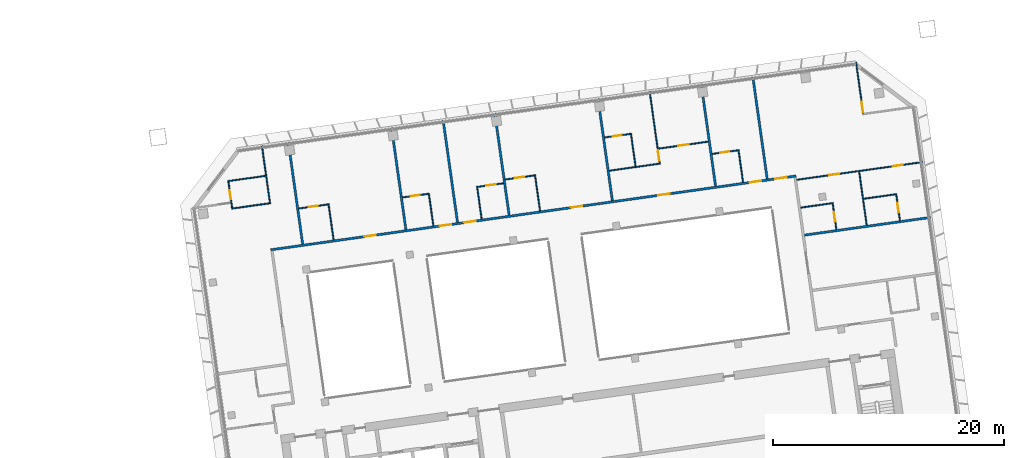
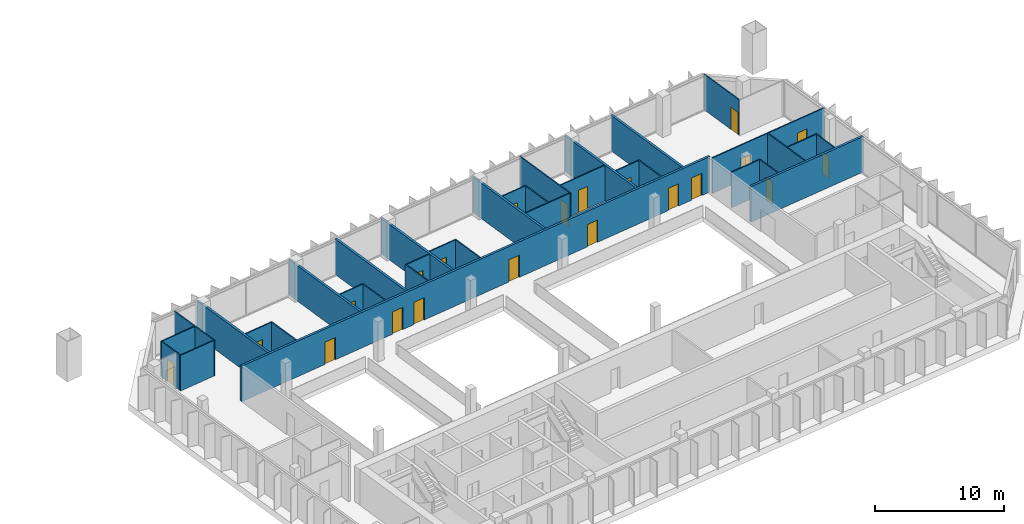
# One storey, part 21 of 26: 35 walls, 21 doors, 21 openings.
"""IFC4 building model written with IfcOpenShell, lengths in metres."""

import ifcopenshell
import ifcopenshell.guid

model = None  # the IFC model being written
_history = None  # IfcOwnerHistory: only IFC2X3 demands one
_inside = {}  # id of a spatial element -> (the spatial element, [elements in it])
_under = {}  # id of a project, library or spatial element -> (it, [spatial elements below it])
_declared = {}  # id of a project -> (the project, [libraries it declares])
_typed = {}  # id of a type object -> (the type object, [elements of that type])
_made_of = {}  # id of a material, layer set ... -> (it, [elements and type objects made of it])


def new_model(schema):
    """Start an empty IFC model of exactly this schema.

    Asked for "IFC4X3", IfcOpenShell would pick the latest addendum, in which some entities
    have other attributes; the version numbers below select the first issue.
    IFC2X3 requires an IfcOwnerHistory on every rooted entity: one is made here for all.
    """
    global model, _history
    if schema == "IFC4X3":
        model = ifcopenshell.file(schema_version=(4, 3, 0, 0))
    else:
        model = ifcopenshell.file(schema=schema)
    _inside.clear()
    _under.clear()
    _declared.clear()
    _typed.clear()
    _made_of.clear()
    _history = None
    if model.schema == "IFC2X3":
        org = make("IfcOrganization", Name="unknown")
        user = make(
            "IfcPersonAndOrganization",
            ThePerson=make("IfcPerson", FamilyName="unknown"),
            TheOrganization=org,
        )
        app = make(
            "IfcApplication",
            ApplicationDeveloper=org,
            Version="unknown",
            ApplicationFullName="unknown",
            ApplicationIdentifier="unknown",
        )
        _history = make(
            "IfcOwnerHistory",
            OwningUser=user,
            OwningApplication=app,
            ChangeAction="ADDED",
            CreationDate=0,
        )
    return model


def make(cls, **values):
    """One entity of the class cls with the attributes given. An attribute that is None is left unset."""
    return model.create_entity(
        cls, **{name: value for name, value in values.items() if value is not None}
    )


def rooted(cls, **values):
    """An entity with a GlobalId (a new one), such as an element, a storey or a relation."""
    return make(cls, GlobalId=ifcopenshell.guid.new(), OwnerHistory=_history, **values)


def si_unit(unit_type, name, prefix=None):
    """IfcSIUnit, for example si_unit("LENGTHUNIT", "METRE", prefix="MILLI")."""
    return make("IfcSIUnit", UnitType=unit_type, Prefix=prefix, Name=name)


def assignment(units):
    """IfcUnitAssignment: the units of a project."""
    return None if units is None else make("IfcUnitAssignment", Units=units)


def point(xyz):
    """IfcCartesianPoint."""
    return None if xyz is None else make("IfcCartesianPoint", Coordinates=xyz)


def direction(xyz):
    """IfcDirection."""
    return None if xyz is None else make("IfcDirection", DirectionRatios=xyz)


def frame(location, z_axis=None, x_axis=None):
    """IfcAxis2Placement3D, a coordinate frame: its origin and axes. An axis left out is left unset."""
    return make(
        "IfcAxis2Placement3D",
        Location=point(location),
        Axis=direction(z_axis),
        RefDirection=direction(x_axis),
    )


def frame_2d(location, x_axis=None):
    """IfcAxis2Placement2D, a coordinate frame in the plane: its origin and x axis."""
    return make(
        "IfcAxis2Placement2D", Location=point(location), RefDirection=direction(x_axis)
    )


def origin():
    """The frame at (0, 0, 0) with its axes left unset."""
    return frame((0.0, 0.0, 0.0))


def place(relative_to, where):
    """IfcLocalPlacement: puts the frame where relative to a parent placement (None: the world)."""
    return make(
        "IfcLocalPlacement", PlacementRelTo=relative_to, RelativePlacement=where
    )


def context(
    kind, dimensions, precision=None, world=None, true_north=None, identifier=None
):
    """IfcGeometricRepresentationContext, for example the 3D "Model" context."""
    return make(
        "IfcGeometricRepresentationContext",
        ContextIdentifier=identifier,
        ContextType=kind,
        CoordinateSpaceDimension=dimensions,
        Precision=precision,
        WorldCoordinateSystem=world,
        TrueNorth=true_north,
    )


def subcontext(parent, identifier, kind, view, scale=None):
    """IfcGeometricRepresentationSubContext, for example "Body" below "Model"."""
    return make(
        "IfcGeometricRepresentationSubContext",
        ContextIdentifier=identifier,
        ContextType=kind,
        ParentContext=parent,
        TargetScale=scale,
        TargetView=view,
    )


def project(units=None, contexts=None):
    """IfcProject with its units and contexts."""
    return rooted(
        "IfcProject",
        Name="project",
        RepresentationContexts=contexts,
        UnitsInContext=assignment(units),
    )


def spatial(cls, under=None, at=None, **own):
    """A site, building, storey or space (cls), placed at a placement, below another one or the project."""
    s = rooted(cls, ObjectPlacement=at, **own)
    if under is not None:
        _under.setdefault(under.id(), (under, []))[1].append(s)
    return s


def profile(cls, at=None, kind="AREA", **sizes):
    """A parametric profile (cls). Its sizes go by their IFC names, for example OverallWidth=200.0."""
    return make(cls, ProfileType=kind, Position=at, **sizes)


def rectangle(**sizes):
    """IfcRectangleProfileDef."""
    return profile("IfcRectangleProfileDef", **sizes)


def extrude(swept, where, along, depth):
    """IfcExtrudedAreaSolid: the profile swept, set in the frame where, extruded along a direction by depth."""
    return make(
        "IfcExtrudedAreaSolid",
        SweptArea=swept,
        Position=where,
        ExtrudedDirection=direction(along),
        Depth=depth,
    )


def shape(context_of_items, identifier, shape_type, items):
    """IfcShapeRepresentation: the items that make up one representation, for example the "Body"."""
    return make(
        "IfcShapeRepresentation",
        ContextOfItems=context_of_items,
        RepresentationIdentifier=identifier,
        RepresentationType=shape_type,
        Items=items,
    )


def material(Name=None, Category=None):
    """IfcMaterial."""
    return make("IfcMaterial", Name=Name, Category=Category)


def layer(
    of_material, thickness, ventilated=None, Name=None, Category=None, Priority=None
):
    """IfcMaterialLayer: one layer of a wall or slab, of a material (None: an air gap)."""
    return make(
        "IfcMaterialLayer",
        Material=of_material,
        LayerThickness=thickness,
        IsVentilated=ventilated,
        Name=Name,
        Category=Category,
        Priority=Priority,
    )


def layer_set(layers, Name=None):
    """IfcMaterialLayerSet."""
    return make("IfcMaterialLayerSet", MaterialLayers=layers, LayerSetName=Name)


def made_of(thing, what):
    """Note that an element or type object is made of a material, layer set ...; save() writes the relation."""
    if what is not None:
        _made_of.setdefault(what.id(), (what, []))[1].append(thing)
    return thing


def type_object(cls, material=None, **own):
    """A type object (cls), such as IfcWallType, which elements share."""
    return made_of(rooted(cls, **own), material)


def element(
    cls,
    number,
    at=None,
    inside=None,
    cuts=None,
    type_object=None,
    material=None,
    context=None,
    identifier="Body",
    shape_type=None,
    held_by="IfcProductDefinitionShape",
    body=None,
    shapes=None,
    **own,
):
    """One element of the class cls, such as IfcWall. Its Tag is "e" and its number.

    at: its placement. inside: the storey or other place that contains it. cuts: it is an
    opening in that element (IfcRelVoidsElement). A single representation is given by context,
    identifier, shape_type and body (its items); several are given by shapes. held_by: the class
    of the entity that holds the representations. save() writes the other relations.
    """
    e = rooted(cls, Tag="e%d" % number, ObjectPlacement=at, **own)
    if body is not None:
        shapes = [shape(context, identifier, shape_type, body)]
    if shapes is not None:
        e.Representation = make(held_by, Representations=shapes)
    if inside is not None:
        _inside.setdefault(inside.id(), (inside, []))[1].append(e)
    if cuts is not None:
        rooted(
            "IfcRelVoidsElement", RelatingBuildingElement=cuts, RelatedOpeningElement=e
        )
    if type_object is not None:
        _typed.setdefault(type_object.id(), (type_object, []))[1].append(e)
    return made_of(e, material)


def fill(opening, filler):
    """IfcRelFillsElement: the door or window that sits in an opening."""
    return rooted(
        "IfcRelFillsElement",
        RelatingOpeningElement=opening,
        RelatedBuildingElement=filler,
    )


def aggregate(whole, parts):
    """IfcRelAggregates: a whole, such as a stair, and the parts it consists of."""
    return rooted("IfcRelAggregates", RelatingObject=whole, RelatedObjects=parts)


def save(model, path):
    """Write the relations noted so far, then the file.

    IfcRelAggregates (storeys below a building ...), IfcRelContainedInSpatialStructure (elements
    in a storey), IfcRelDefinesByType, IfcRelAssociatesMaterial and IfcRelDeclares: one each for
    every whole, place, type object, material and project.
    """
    for whole, parts in _under.values():
        aggregate(whole, parts)
    for where, things in _inside.values():
        rooted(
            "IfcRelContainedInSpatialStructure",
            RelatedElements=things,
            RelatingStructure=where,
        )
    for kind, things in _typed.values():
        rooted("IfcRelDefinesByType", RelatedObjects=things, RelatingType=kind)
    for what, things in _made_of.values():
        rooted("IfcRelAssociatesMaterial", RelatedObjects=things, RelatingMaterial=what)
    for by, libraries in _declared.values():
        rooted("IfcRelDeclares", RelatingContext=by, RelatedDefinitions=libraries)
    model.write(path)


model = new_model("IFC4")

# Units and contexts
model_context = context("Model", 3, precision=1e-05, world=origin(), true_north=direction((0.0, 1.0)))
body_context = subcontext(model_context, "Body", "Model", "MODEL_VIEW")
ifc_project = project(units=[si_unit("LENGTHUNIT", "METRE"), si_unit("AREAUNIT", "SQUARE_METRE"), si_unit("VOLUMEUNIT", "CUBIC_METRE"), si_unit("PLANEANGLEUNIT", "RADIAN"), si_unit("MASSUNIT", "GRAM", prefix="KILO")], contexts=[model_context])

# Site, building, storey
site_placement = place(None, origin())
site = spatial("IfcSite", under=ifc_project, at=site_placement, CompositionType="ELEMENT")
building_placement = place(site_placement, origin())
building = spatial("IfcBuilding", under=site, at=building_placement, Name="Mirante Cascada Hotel Towers", CompositionType="ELEMENT")
storey_placement = place(building_placement, frame((0.0, 0.0, 161.2)))
storey = spatial("IfcBuildingStorey", under=building, at=storey_placement, Name="L37", CompositionType="ELEMENT", Elevation=161.2)

# Wall
ifc_material_1 = material(Name="Fire-rated plasterboard on metal studs")
ifc_layer_1 = layer(ifc_material_1, 0.2)
ifc_layer_set_1 = layer_set([ifc_layer_1], Name="Compartment wall 200 EI 120")
wall_type_1 = type_object("IfcWallType", Name="Compartment wall 200 EI 120", PredefinedType="PARTITIONING", material=ifc_layer_set_1)
wall_1_placement = place(storey_placement, frame((91.7142, 11.5542, 0.0), z_axis=(0.0, 0.0, 1.0), x_axis=(-0.990268, -0.1391733, 0.0)))
element("IfcWall", 1, at=wall_1_placement, inside=storey, type_object=wall_type_1, Name="Wall 2-L37-09", PredefinedType="PARTITIONING", context=body_context, shape_type="SweptSolid", body=[
    extrude(rectangle(XDim=11.0, YDim=0.2, at=frame_2d((5.5, 0.0))), origin(), (0.0, 0.0, 1.0), 3.35),
])

# Wall, openings, doors
wall_2_placement = place(storey_placement, frame((80.1022, 15.1397, 0.0), z_axis=(0.0, 0.0, 1.0), x_axis=(-0.9902679, -0.1391743, 0.0)))
wall_2 = element("IfcWall", 2, at=wall_2_placement, inside=storey, type_object=wall_type_1, Name="Wall 2-L37-13", PredefinedType="PARTITIONING", context=body_context, shape_type="SweptSolid", body=[
    extrude(rectangle(XDim=45.9, YDim=0.2, at=frame_2d((22.95, 0.0))), origin(), (0.0, 0.0, 1.0), 3.35),
])
opening_1_placement = place(wall_2_placement, frame((36.7352, 0.0, 0.0)))
opening_1 = element("IfcOpeningElement", 3, at=opening_1_placement, cuts=wall_2, Name="Opening D2-L37-06", PredefinedType="OPENING", context=body_context, shape_type="SweptSolid", body=[
    extrude(rectangle(XDim=1.0, YDim=2.1, at=frame_2d((0.5, 1.05))), frame((0.0, 0.1, 0.0), z_axis=(0.0, -1.0, 0.0), x_axis=(1.0, 0.0, 0.0)), (0.0, 0.0, 1.0), 0.2),
])
opening_2_placement = place(wall_2_placement, frame((30.1224, 0.0, 0.0)))
opening_2 = element("IfcOpeningElement", 4, at=opening_2_placement, cuts=wall_2, Name="Opening D2-L37-07", PredefinedType="OPENING", context=body_context, shape_type="SweptSolid", body=[
    extrude(rectangle(XDim=1.0, YDim=2.1, at=frame_2d((0.5, 1.05))), frame((0.0, 0.1, 0.0), z_axis=(0.0, -1.0, 0.0), x_axis=(1.0, 0.0, 0.0)), (0.0, 0.0, 1.0), 0.2),
])
opening_3_placement = place(wall_2_placement, frame((28.0138, 0.0, 0.0)))
opening_3 = element("IfcOpeningElement", 5, at=opening_3_placement, cuts=wall_2, Name="Opening D2-L37-08", PredefinedType="OPENING", context=body_context, shape_type="SweptSolid", body=[
    extrude(rectangle(XDim=1.0, YDim=2.1, at=frame_2d((0.5, 1.05))), frame((0.0, 0.1, 0.0), z_axis=(0.0, -1.0, 0.0), x_axis=(1.0, 0.0, 0.0)), (0.0, 0.0, 1.0), 0.2),
])
opening_4_placement = place(wall_2_placement, frame((18.7011, 0.0, 0.0)))
opening_4 = element("IfcOpeningElement", 6, at=opening_4_placement, cuts=wall_2, Name="Opening D2-L37-09", PredefinedType="OPENING", context=body_context, shape_type="SweptSolid", body=[
    extrude(rectangle(XDim=1.0, YDim=2.1, at=frame_2d((0.5, 1.05))), frame((0.0, 0.1, 0.0), z_axis=(0.0, -1.0, 0.0), x_axis=(1.0, 0.0, 0.0)), (0.0, 0.0, 1.0), 0.2),
])
opening_5_placement = place(wall_2_placement, frame((11.0341, 0.0, 0.0)))
opening_5 = element("IfcOpeningElement", 7, at=opening_5_placement, cuts=wall_2, Name="Opening D2-L37-10", PredefinedType="OPENING", context=body_context, shape_type="SweptSolid", body=[
    extrude(rectangle(XDim=1.0, YDim=2.1, at=frame_2d((0.5, 1.05))), frame((0.0, 0.1, 0.0), z_axis=(0.0, -1.0, 0.0), x_axis=(1.0, 0.0, 0.0)), (0.0, 0.0, 1.0), 0.2),
])
opening_6_placement = place(wall_2_placement, frame((3.0713, 0.0, 0.0)))
opening_6 = element("IfcOpeningElement", 8, at=opening_6_placement, cuts=wall_2, Name="Opening D2-L37-11", PredefinedType="OPENING", context=body_context, shape_type="SweptSolid", body=[
    extrude(rectangle(XDim=1.0, YDim=2.1, at=frame_2d((0.5, 1.05))), frame((0.0, 0.1, 0.0), z_axis=(0.0, -1.0, 0.0), x_axis=(1.0, 0.0, 0.0)), (0.0, 0.0, 1.0), 0.2),
])
opening_7_placement = place(wall_2_placement, frame((0.8085, 0.0, 0.0)))
opening_7 = element("IfcOpeningElement", 9, at=opening_7_placement, cuts=wall_2, Name="Opening D2-L37-12", PredefinedType="OPENING", context=body_context, shape_type="SweptSolid", body=[
    extrude(rectangle(XDim=1.0, YDim=2.1, at=frame_2d((0.5, 1.05))), frame((0.0, 0.1, 0.0), z_axis=(0.0, -1.0, 0.0), x_axis=(1.0, 0.0, 0.0)), (0.0, 0.0, 1.0), 0.2),
])
ifc_material_2 = material(Name="Fire-rated timber door leaf", Category="wood")
door_type_1 = type_object("IfcDoorType", Name="Entrance door DG1 1000x2100 EI 60", OperationType="SINGLE_SWING_LEFT", PredefinedType="DOOR", material=ifc_material_2)
door_1_placement = place(opening_1_placement, frame((1.0, 0.0, 0.0), z_axis=(0.0, 0.0, 1.0), x_axis=(-1.0, 0.0, 0.0)))
door_1 = element("IfcDoor", 10, at=door_1_placement, inside=storey, type_object=door_type_1, Name="Door D2-L37-06", OperationType="SINGLE_SWING_RIGHT", OverallHeight=2.1, OverallWidth=1.0, PredefinedType="DOOR", context=body_context, shape_type="SweptSolid", body=[
    extrude(rectangle(XDim=1.0, YDim=2.1, at=frame_2d((0.5, 1.05))), frame((0.0, 0.025, 0.0), z_axis=(0.0, -1.0, 0.0), x_axis=(1.0, 0.0, 0.0)), (0.0, 0.0, 1.0), 0.05),
])
fill(opening_1, door_1)
door_2_placement = place(opening_2_placement, frame((1.0, 0.0, 0.0), z_axis=(0.0, 0.0, 1.0), x_axis=(-1.0, 0.0, 0.0)))
door_2 = element("IfcDoor", 11, at=door_2_placement, inside=storey, type_object=door_type_1, Name="Door D2-L37-07", OperationType="SINGLE_SWING_RIGHT", OverallHeight=2.1, OverallWidth=1.0, PredefinedType="DOOR", context=body_context, shape_type="SweptSolid", body=[
    extrude(rectangle(XDim=1.0, YDim=2.1, at=frame_2d((0.5, 1.05))), frame((0.0, 0.025, 0.0), z_axis=(0.0, -1.0, 0.0), x_axis=(1.0, 0.0, 0.0)), (0.0, 0.0, 1.0), 0.05),
])
fill(opening_2, door_2)
door_3_placement = place(opening_3_placement, frame((1.0, 0.0, 0.0), z_axis=(0.0, 0.0, 1.0), x_axis=(-1.0, 0.0, 0.0)))
door_3 = element("IfcDoor", 12, at=door_3_placement, inside=storey, type_object=door_type_1, Name="Door D2-L37-08", OperationType="SINGLE_SWING_RIGHT", OverallHeight=2.1, OverallWidth=1.0, PredefinedType="DOOR", context=body_context, shape_type="SweptSolid", body=[
    extrude(rectangle(XDim=1.0, YDim=2.1, at=frame_2d((0.5, 1.05))), frame((0.0, 0.025, 0.0), z_axis=(0.0, -1.0, 0.0), x_axis=(1.0, 0.0, 0.0)), (0.0, 0.0, 1.0), 0.05),
])
fill(opening_3, door_3)
door_4_placement = place(opening_4_placement, frame((1.0, 0.0, 0.0), z_axis=(0.0, 0.0, 1.0), x_axis=(-1.0, 0.0, 0.0)))
door_4 = element("IfcDoor", 13, at=door_4_placement, inside=storey, type_object=door_type_1, Name="Door D2-L37-09", OperationType="SINGLE_SWING_RIGHT", OverallHeight=2.1, OverallWidth=1.0, PredefinedType="DOOR", context=body_context, shape_type="SweptSolid", body=[
    extrude(rectangle(XDim=1.0, YDim=2.1, at=frame_2d((0.5, 1.05))), frame((0.0, 0.025, 0.0), z_axis=(0.0, -1.0, 0.0), x_axis=(1.0, 0.0, 0.0)), (0.0, 0.0, 1.0), 0.05),
])
fill(opening_4, door_4)
door_5_placement = place(opening_5_placement, frame((1.0, 0.0, 0.0), z_axis=(0.0, 0.0, 1.0), x_axis=(-1.0, 0.0, 0.0)))
door_5 = element("IfcDoor", 14, at=door_5_placement, inside=storey, type_object=door_type_1, Name="Door D2-L37-10", OperationType="SINGLE_SWING_RIGHT", OverallHeight=2.1, OverallWidth=1.0, PredefinedType="DOOR", context=body_context, shape_type="SweptSolid", body=[
    extrude(rectangle(XDim=1.0, YDim=2.1, at=frame_2d((0.5, 1.05))), frame((0.0, 0.025, 0.0), z_axis=(0.0, -1.0, 0.0), x_axis=(1.0, 0.0, 0.0)), (0.0, 0.0, 1.0), 0.05),
])
fill(opening_5, door_5)
door_6_placement = place(opening_6_placement, frame((1.0, 0.0, 0.0), z_axis=(0.0, 0.0, 1.0), x_axis=(-1.0, 0.0, 0.0)))
door_6 = element("IfcDoor", 15, at=door_6_placement, inside=storey, type_object=door_type_1, Name="Door D2-L37-11", OperationType="SINGLE_SWING_RIGHT", OverallHeight=2.1, OverallWidth=1.0, PredefinedType="DOOR", context=body_context, shape_type="SweptSolid", body=[
    extrude(rectangle(XDim=1.0, YDim=2.1, at=frame_2d((0.5, 1.05))), frame((0.0, 0.025, 0.0), z_axis=(0.0, -1.0, 0.0), x_axis=(1.0, 0.0, 0.0)), (0.0, 0.0, 1.0), 0.05),
])
fill(opening_6, door_6)
door_7_placement = place(opening_7_placement, frame((1.0, 0.0, 0.0), z_axis=(0.0, 0.0, 1.0), x_axis=(-1.0, 0.0, 0.0)))
door_7 = element("IfcDoor", 16, at=door_7_placement, inside=storey, type_object=door_type_1, Name="Door D2-L37-12", OperationType="SINGLE_SWING_RIGHT", OverallHeight=2.1, OverallWidth=1.0, PredefinedType="DOOR", context=body_context, shape_type="SweptSolid", body=[
    extrude(rectangle(XDim=1.0, YDim=2.1, at=frame_2d((0.5, 1.05))), frame((0.0, 0.025, 0.0), z_axis=(0.0, -1.0, 0.0), x_axis=(1.0, 0.0, 0.0)), (0.0, 0.0, 1.0), 0.05),
])
fill(opening_7, door_7)

# Walls
for number, where, z_axis, x_axis, name in (
    (17, (36.1753, 18.0546, 0.0), (0.0, 0.0, 1.0), (0.1391794, -0.9902672, 0.0), "Wall 2-L37-31"),
    (18, (45.1046, 19.3095, 0.0), (0.0, 0.0, 1.0), (0.1391684, -0.9902687, 0.0), "Wall 2-L37-33"),
    (19, (49.5693, 19.937, 0.0), (0.0, 0.0, 1.0), (0.1391684, -0.9902687, 0.0), "Wall 2-L37-35"),
    (20, (54.0339, 20.5645, 0.0), (0.0, 0.0, 1.0), (0.1391794, -0.9902672, 0.0), "Wall 2-L37-37"),
    (21, (62.9632, 21.8194, 0.0), (0.0, 0.0, 1.0), (0.1391684, -0.9902687, 0.0), "Wall 2-L37-39"),
    (22, (73.1311, 14.2609, 0.0), (0.0, 0.0, 1.0), (-0.1391794, 0.9902672, 0.0), "Wall 2-L37-42"),
    (23, (77.5958, 14.8884, 0.0), (0.0, 0.0, 1.0), (-0.1391794, 0.9902672, 0.0), "Wall 2-L37-44"),
):
    element("IfcWall", number, at=place(storey_placement, frame(where, z_axis=z_axis, x_axis=x_axis)), inside=storey, type_object=wall_type_1, Name=name, PredefinedType="PARTITIONING", context=body_context, shape_type="SweptSolid", body=[
        extrude(rectangle(XDim=8.9, YDim=0.2, at=frame_2d((4.45, 0.0))), origin(), (0.0, 0.0, 1.0), 3.35),
    ])
ifc_material_3 = material(Name="Plasterboard on metal studs")
ifc_layer_2 = layer(ifc_material_3, 0.1)
ifc_layer_set_2 = layer_set([ifc_layer_2], Name="Partition 100")
wall_type_2 = type_object("IfcWallType", Name="Partition 100", PredefinedType="PARTITIONING", material=ifc_layer_set_2)
wall_3_placement = place(storey_placement, frame((80.4873, 12.3999, 0.0), z_axis=(0.0, 0.0, 1.0), x_axis=(0.9902649, 0.1391957, 0.0)))
element("IfcWall", 24, at=wall_3_placement, inside=storey, type_object=wall_type_2, Name="Wall 2-L37-10", PredefinedType="PARTITIONING", context=body_context, shape_type="SweptSolid", body=[
    extrude(rectangle(XDim=2.8499, YDim=0.1, at=frame_2d((1.425, 0.0))), origin(), (0.0, 0.0, 1.0), 3.35),
])
wall_4_placement = place(storey_placement, frame((88.8055, 13.569, 0.0), z_axis=(0.0, 0.0, 1.0), x_axis=(-0.9902683, -0.1391714, 0.0)))
element("IfcWall", 25, at=wall_4_placement, inside=storey, type_object=wall_type_2, Name="Wall 2-L37-11", PredefinedType="PARTITIONING", context=body_context, shape_type="SweptSolid", body=[
    extrude(rectangle(XDim=2.9, YDim=0.1, at=frame_2d((1.45, 0.0))), origin(), (0.0, 0.0, 1.0), 3.35),
])

# Wall, openings, doors
wall_5_placement = place(storey_placement, frame((80.1486, 14.8096, 0.0), z_axis=(0.0, 0.0, 1.0), x_axis=(0.990268, 0.1391733, 0.0)))
wall_5 = element("IfcWall", 26, at=wall_5_placement, inside=storey, type_object=wall_type_2, Name="Wall 2-L37-12", PredefinedType="PARTITIONING", context=body_context, shape_type="SweptSolid", body=[
    extrude(rectangle(XDim=11.0, YDim=0.1, at=frame_2d((5.5, 0.0))), origin(), (0.0, 0.0, 1.0), 3.35),
])
opening_8_placement = place(wall_5_placement, frame((2.825, 0.0, 0.0)))
opening_8 = element("IfcOpeningElement", 27, at=opening_8_placement, cuts=wall_5, Name="Opening D2-L37-04", PredefinedType="OPENING", context=body_context, shape_type="SweptSolid", body=[
    extrude(rectangle(XDim=0.9, YDim=2.1, at=frame_2d((0.45, 1.05))), frame((0.0, 0.05, 0.0), z_axis=(0.0, -1.0, 0.0), x_axis=(1.0, 0.0, 0.0)), (0.0, 0.0, 1.0), 0.1),
])
opening_9_placement = place(wall_5_placement, frame((8.375, 0.0, 0.0)))
opening_9 = element("IfcOpeningElement", 28, at=opening_9_placement, cuts=wall_5, Name="Opening D2-L37-05", PredefinedType="OPENING", context=body_context, shape_type="SweptSolid", body=[
    extrude(rectangle(XDim=0.9, YDim=2.1, at=frame_2d((0.45, 1.05))), frame((0.0, 0.05, 0.0), z_axis=(0.0, -1.0, 0.0), x_axis=(1.0, 0.0, 0.0)), (0.0, 0.0, 1.0), 0.1),
])
ifc_material_4 = material(Name="Timber door leaf", Category="wood")
door_type_2 = type_object("IfcDoorType", Name="Room door DG3 900x2100", OperationType="SINGLE_SWING_LEFT", PredefinedType="DOOR", material=ifc_material_4)
door_8_placement = place(opening_8_placement, origin())
door_8 = element("IfcDoor", 29, at=door_8_placement, inside=storey, type_object=door_type_2, Name="Door D2-L37-04", OperationType="SINGLE_SWING_LEFT", OverallHeight=2.1, OverallWidth=0.9, PredefinedType="DOOR", context=body_context, shape_type="SweptSolid", body=[
    extrude(rectangle(XDim=0.9, YDim=2.1, at=frame_2d((0.45, 1.05))), frame((0.0, 0.025, 0.0), z_axis=(0.0, -1.0, 0.0), x_axis=(1.0, 0.0, 0.0)), (0.0, 0.0, 1.0), 0.05),
])
fill(opening_8, door_8)
door_9_placement = place(opening_9_placement, origin())
door_9 = element("IfcDoor", 30, at=door_9_placement, inside=storey, type_object=door_type_2, Name="Door D2-L37-05", OperationType="SINGLE_SWING_LEFT", OverallHeight=2.1, OverallWidth=0.9, PredefinedType="DOOR", context=body_context, shape_type="SweptSolid", body=[
    extrude(rectangle(XDim=0.9, YDim=2.1, at=frame_2d((0.45, 1.05))), frame((0.0, 0.025, 0.0), z_axis=(0.0, -1.0, 0.0), x_axis=(1.0, 0.0, 0.0)), (0.0, 0.0, 1.0), 0.05),
])
fill(opening_9, door_9)

# Wall
wall_6_placement = place(storey_placement, frame((63.939, 15.5946, 0.0), z_axis=(0.0, 0.0, 1.0), x_axis=(0.9902677, 0.1391757, 0.0)))
element("IfcWall", 31, at=wall_6_placement, inside=storey, type_object=wall_type_2, Name="Wall 2-L37-14", PredefinedType="PARTITIONING", context=body_context, shape_type="SweptSolid", body=[
    extrude(rectangle(XDim=4.3585, YDim=0.1, at=frame_2d((2.1792, 0.0))), origin(), (0.0, 0.0, 1.0), 3.35),
])

# Wall, opening, door
wall_7_placement = place(storey_placement, frame((48.2807, 13.596, 0.0), z_axis=(0.0, 0.0, 1.0), x_axis=(-0.9902643, -0.1391997, 0.0)))
wall_7 = element("IfcWall", 32, at=wall_7_placement, inside=storey, type_object=wall_type_2, Name="Wall 2-L37-15", PredefinedType="PARTITIONING", context=body_context, shape_type="SweptSolid", body=[
    extrude(rectangle(XDim=2.25, YDim=0.1, at=frame_2d((1.125, 0.0))), origin(), (0.0, 0.0, 1.0), 3.35),
])
opening_10_placement = place(wall_7_placement, frame((0.75, 0.0, 0.0)))
opening_10 = element("IfcOpeningElement", 33, at=opening_10_placement, cuts=wall_7, Name="Opening D2-L37-13", PredefinedType="OPENING", context=body_context, shape_type="SweptSolid", body=[
    extrude(rectangle(XDim=0.8, YDim=2.1, at=frame_2d((0.4, 1.05))), frame((0.0, 0.05, 0.0), z_axis=(0.0, -1.0, 0.0), x_axis=(1.0, 0.0, 0.0)), (0.0, 0.0, 1.0), 0.1),
])
ifc_material_5 = material(Name="Timber door leaf", Category="wood")
door_type_3 = type_object("IfcDoorType", Name="Bathroom door DG4 800x2100", OperationType="SINGLE_SWING_LEFT", PredefinedType="DOOR", material=ifc_material_5)
door_10_placement = place(opening_10_placement, frame((0.8, 0.0, 0.0), z_axis=(0.0, 0.0, 1.0), x_axis=(-1.0, 0.0, 0.0)))
door_10 = element("IfcDoor", 34, at=door_10_placement, inside=storey, type_object=door_type_3, Name="Door D2-L37-13", OperationType="SINGLE_SWING_RIGHT", OverallHeight=2.1, OverallWidth=0.8, PredefinedType="DOOR", context=body_context, shape_type="SweptSolid", body=[
    extrude(rectangle(XDim=0.8, YDim=2.1, at=frame_2d((0.4, 1.05))), frame((0.0, 0.025, 0.0), z_axis=(0.0, -1.0, 0.0), x_axis=(1.0, 0.0, 0.0)), (0.0, 0.0, 1.0), 0.05),
])
fill(opening_10, door_10)

wall_8_placement = place(storey_placement, frame((52.5558, 14.1968, 0.0), z_axis=(0.0, 0.0, 1.0), x_axis=(0.9902705, 0.1391561, 0.0)))
wall_8 = element("IfcWall", 35, at=wall_8_placement, inside=storey, type_object=wall_type_2, Name="Wall 2-L37-16", PredefinedType="PARTITIONING", context=body_context, shape_type="SweptSolid", body=[
    extrude(rectangle(XDim=2.25, YDim=0.1, at=frame_2d((1.125, 0.0))), origin(), (0.0, 0.0, 1.0), 3.35),
])
opening_11_placement = place(wall_8_placement, frame((0.75, 0.0, 0.0)))
opening_11 = element("IfcOpeningElement", 36, at=opening_11_placement, cuts=wall_8, Name="Opening D2-L37-14", PredefinedType="OPENING", context=body_context, shape_type="SweptSolid", body=[
    extrude(rectangle(XDim=0.8, YDim=2.1, at=frame_2d((0.4, 1.05))), frame((0.0, 0.05, 0.0), z_axis=(0.0, -1.0, 0.0), x_axis=(1.0, 0.0, 0.0)), (0.0, 0.0, 1.0), 0.1),
])
door_11_placement = place(opening_11_placement, origin())
door_11 = element("IfcDoor", 37, at=door_11_placement, inside=storey, type_object=door_type_3, Name="Door D2-L37-14", OperationType="SINGLE_SWING_LEFT", OverallHeight=2.1, OverallWidth=0.8, PredefinedType="DOOR", context=body_context, shape_type="SweptSolid", body=[
    extrude(rectangle(XDim=0.8, YDim=2.1, at=frame_2d((0.4, 1.05))), frame((0.0, 0.025, 0.0), z_axis=(0.0, -1.0, 0.0), x_axis=(1.0, 0.0, 0.0)), (0.0, 0.0, 1.0), 0.05),
])
fill(opening_11, door_11)

wall_9_placement = place(storey_placement, frame((75.0685, 17.3607, 0.0), z_axis=(0.0, 0.0, 1.0), x_axis=(-0.9902705, -0.1391561, 0.0)))
wall_9 = element("IfcWall", 38, at=wall_9_placement, inside=storey, type_object=wall_type_2, Name="Wall 2-L37-17", PredefinedType="PARTITIONING", context=body_context, shape_type="SweptSolid", body=[
    extrude(rectangle(XDim=2.25, YDim=0.1, at=frame_2d((1.125, 0.0))), origin(), (0.0, 0.0, 1.0), 3.35),
])
opening_12_placement = place(wall_9_placement, frame((0.75, 0.0, 0.0)))
opening_12 = element("IfcOpeningElement", 39, at=opening_12_placement, cuts=wall_9, Name="Opening D2-L37-15", PredefinedType="OPENING", context=body_context, shape_type="SweptSolid", body=[
    extrude(rectangle(XDim=0.8, YDim=2.1, at=frame_2d((0.4, 1.05))), frame((0.0, 0.05, 0.0), z_axis=(0.0, -1.0, 0.0), x_axis=(1.0, 0.0, 0.0)), (0.0, 0.0, 1.0), 0.1),
])
door_12_placement = place(opening_12_placement, frame((0.8, 0.0, 0.0), z_axis=(0.0, 0.0, 1.0), x_axis=(-1.0, 0.0, 0.0)))
door_12 = element("IfcDoor", 40, at=door_12_placement, inside=storey, type_object=door_type_3, Name="Door D2-L37-15", OperationType="SINGLE_SWING_RIGHT", OverallHeight=2.1, OverallWidth=0.8, PredefinedType="DOOR", context=body_context, shape_type="SweptSolid", body=[
    extrude(rectangle(XDim=0.8, YDim=2.1, at=frame_2d((0.4, 1.05))), frame((0.0, 0.025, 0.0), z_axis=(0.0, -1.0, 0.0), x_axis=(1.0, 0.0, 0.0)), (0.0, 0.0, 1.0), 0.05),
])
fill(opening_12, door_12)

wall_10_placement = place(storey_placement, frame((37.0816, 12.325, 0.0), z_axis=(0.0, 0.0, 1.0), x_axis=(0.990267, 0.1391809, 0.0)))
wall_10 = element("IfcWall", 41, at=wall_10_placement, inside=storey, type_object=wall_type_2, Name="Wall 2-L37-18", PredefinedType="PARTITIONING", context=body_context, shape_type="SweptSolid", body=[
    extrude(rectangle(XDim=2.5499, YDim=0.1, at=frame_2d((1.275, 0.0))), origin(), (0.0, 0.0, 1.0), 3.35),
])
opening_13_placement = place(wall_10_placement, frame((0.85, 0.0, 0.0)))
opening_13 = element("IfcOpeningElement", 42, at=opening_13_placement, cuts=wall_10, Name="Opening D2-L37-16", PredefinedType="OPENING", context=body_context, shape_type="SweptSolid", body=[
    extrude(rectangle(XDim=0.8, YDim=2.1, at=frame_2d((0.4, 1.05))), frame((0.0, 0.05, 0.0), z_axis=(0.0, -1.0, 0.0), x_axis=(1.0, 0.0, 0.0)), (0.0, 0.0, 1.0), 0.1),
])
door_13_placement = place(opening_13_placement, origin())
door_13 = element("IfcDoor", 43, at=door_13_placement, inside=storey, type_object=door_type_3, Name="Door D2-L37-16", OperationType="SINGLE_SWING_LEFT", OverallHeight=2.1, OverallWidth=0.8, PredefinedType="DOOR", context=body_context, shape_type="SweptSolid", body=[
    extrude(rectangle(XDim=0.8, YDim=2.1, at=frame_2d((0.4, 1.05))), frame((0.0, 0.025, 0.0), z_axis=(0.0, -1.0, 0.0), x_axis=(1.0, 0.0, 0.0)), (0.0, 0.0, 1.0), 0.05),
])
fill(opening_13, door_13)

wall_11_placement = place(storey_placement, frame((57.4653, 15.1897, 0.0), z_axis=(0.0, 0.0, 1.0), x_axis=(-0.990267, -0.1391809, 0.0)))
wall_11 = element("IfcWall", 44, at=wall_11_placement, inside=storey, type_object=wall_type_2, Name="Wall 2-L37-19", PredefinedType="PARTITIONING", context=body_context, shape_type="SweptSolid", body=[
    extrude(rectangle(XDim=2.5499, YDim=0.1, at=frame_2d((1.275, 0.0))), origin(), (0.0, 0.0, 1.0), 3.35),
])
opening_14_placement = place(wall_11_placement, frame((0.9, 0.0, 0.0)))
opening_14 = element("IfcOpeningElement", 45, at=opening_14_placement, cuts=wall_11, Name="Opening D2-L37-17", PredefinedType="OPENING", context=body_context, shape_type="SweptSolid", body=[
    extrude(rectangle(XDim=0.8, YDim=2.1, at=frame_2d((0.4, 1.05))), frame((0.0, 0.05, 0.0), z_axis=(0.0, -1.0, 0.0), x_axis=(1.0, 0.0, 0.0)), (0.0, 0.0, 1.0), 0.1),
])
door_14_placement = place(opening_14_placement, frame((0.8, 0.0, 0.0), z_axis=(0.0, 0.0, 1.0), x_axis=(-1.0, 0.0, 0.0)))
door_14 = element("IfcDoor", 46, at=door_14_placement, inside=storey, type_object=door_type_3, Name="Door D2-L37-17", OperationType="SINGLE_SWING_RIGHT", OverallHeight=2.1, OverallWidth=0.8, PredefinedType="DOOR", context=body_context, shape_type="SweptSolid", body=[
    extrude(rectangle(XDim=0.8, YDim=2.1, at=frame_2d((0.4, 1.05))), frame((0.0, 0.025, 0.0), z_axis=(0.0, -1.0, 0.0), x_axis=(1.0, 0.0, 0.0)), (0.0, 0.0, 1.0), 0.05),
])
fill(opening_14, door_14)

# Wall
wall_12_placement = place(storey_placement, frame((31.2699, 12.3161, 0.0), z_axis=(0.0, 0.0, 1.0), x_axis=(0.9902711, 0.1391513, 0.0)))
element("IfcWall", 47, at=wall_12_placement, inside=storey, type_object=wall_type_2, Name="Wall 2-L37-20", PredefinedType="PARTITIONING", context=body_context, shape_type="SweptSolid", body=[
    extrude(rectangle(XDim=3.3, YDim=0.1, at=frame_2d((1.65, 0.0))), origin(), (0.0, 0.0, 1.0), 3.35),
])

# Wall, opening, door
wall_13_placement = place(storey_placement, frame((72.4893, 18.1091, 0.0), z_axis=(0.0, 0.0, 1.0), x_axis=(-0.9902677, -0.1391757, 0.0)))
wall_13 = element("IfcWall", 48, at=wall_13_placement, inside=storey, type_object=wall_type_2, Name="Wall 2-L37-21", PredefinedType="PARTITIONING", context=body_context, shape_type="SweptSolid", body=[
    extrude(rectangle(XDim=4.3585, YDim=0.1, at=frame_2d((2.1792, 0.0))), origin(), (0.0, 0.0, 1.0), 3.35),
])
opening_15_placement = place(wall_13_placement, frame((1.7042, 0.0, 0.0)))
opening_15 = element("IfcOpeningElement", 49, at=opening_15_placement, cuts=wall_13, Name="Opening D2-L37-18", PredefinedType="OPENING", context=body_context, shape_type="SweptSolid", body=[
    extrude(rectangle(XDim=0.9, YDim=2.1, at=frame_2d((0.45, 1.05))), frame((0.0, 0.05, 0.0), z_axis=(0.0, -1.0, 0.0), x_axis=(1.0, 0.0, 0.0)), (0.0, 0.0, 1.0), 0.1),
])
door_15_placement = place(opening_15_placement, origin())
door_15 = element("IfcDoor", 50, at=door_15_placement, inside=storey, type_object=door_type_2, Name="Door D2-L37-18", OperationType="SINGLE_SWING_LEFT", OverallHeight=2.1, OverallWidth=0.9, PredefinedType="DOOR", context=body_context, shape_type="SweptSolid", body=[
    extrude(rectangle(XDim=0.9, YDim=2.1, at=frame_2d((0.45, 1.05))), frame((0.0, 0.025, 0.0), z_axis=(0.0, -1.0, 0.0), x_axis=(1.0, 0.0, 0.0)), (0.0, 0.0, 1.0), 0.05),
])
fill(opening_15, door_15)

wall_14_placement = place(storey_placement, frame((63.5354, 18.4664, 0.0), z_axis=(0.0, 0.0, 1.0), x_axis=(0.9902705, 0.1391561, 0.0)))
wall_14 = element("IfcWall", 51, at=wall_14_placement, inside=storey, type_object=wall_type_2, Name="Wall 2-L37-24", PredefinedType="PARTITIONING", context=body_context, shape_type="SweptSolid", body=[
    extrude(rectangle(XDim=2.25, YDim=0.1, at=frame_2d((1.125, 0.0))), origin(), (0.0, 0.0, 1.0), 3.35),
])
opening_16_placement = place(wall_14_placement, frame((0.7, 0.0, 0.0)))
opening_16 = element("IfcOpeningElement", 52, at=opening_16_placement, cuts=wall_14, Name="Opening D2-L37-20", PredefinedType="OPENING", context=body_context, shape_type="SweptSolid", body=[
    extrude(rectangle(XDim=0.8, YDim=2.1, at=frame_2d((0.4, 1.05))), frame((0.0, 0.05, 0.0), z_axis=(0.0, -1.0, 0.0), x_axis=(1.0, 0.0, 0.0)), (0.0, 0.0, 1.0), 0.1),
])
door_16_placement = place(opening_16_placement, origin())
door_16 = element("IfcDoor", 53, at=door_16_placement, inside=storey, type_object=door_type_3, Name="Door D2-L37-20", OperationType="SINGLE_SWING_LEFT", OverallHeight=2.1, OverallWidth=0.8, PredefinedType="DOOR", context=body_context, shape_type="SweptSolid", body=[
    extrude(rectangle(XDim=0.8, YDim=2.1, at=frame_2d((0.4, 1.05))), frame((0.0, 0.025, 0.0), z_axis=(0.0, -1.0, 0.0), x_axis=(1.0, 0.0, 0.0)), (0.0, 0.0, 1.0), 0.05),
])
fill(opening_16, door_16)

# Wall
wall_15_placement = place(storey_placement, frame((34.2038, 15.152, 0.0), z_axis=(0.0, 0.0, 1.0), x_axis=(-0.990267, -0.139181, 0.0)))
element("IfcWall", 54, at=wall_15_placement, inside=storey, type_object=wall_type_2, Name="Wall 2-L37-25", PredefinedType="PARTITIONING", context=body_context, shape_type="SweptSolid", body=[
    extrude(rectangle(XDim=3.3, YDim=0.1, at=frame_2d((1.65, 0.0))), origin(), (0.0, 0.0, 1.0), 3.35),
])

# Wall, opening, door
wall_16_placement = place(storey_placement, frame((30.9924, 14.6502, 0.0), z_axis=(0.0, 0.0, 1.0), x_axis=(0.1391689, -0.9902687, 0.0)))
wall_16 = element("IfcWall", 55, at=wall_16_placement, inside=storey, type_object=wall_type_2, Name="Wall 2-L37-27", PredefinedType="PARTITIONING", context=body_context, shape_type="SweptSolid", body=[
    extrude(rectangle(XDim=2.3001, YDim=0.1, at=frame_2d((1.15, 0.0))), origin(), (0.0, 0.0, 1.0), 3.35),
])
opening_17_placement = place(wall_16_placement, frame((0.75, 0.0, 0.0)))
opening_17 = element("IfcOpeningElement", 56, at=opening_17_placement, cuts=wall_16, Name="Opening D2-L37-22", PredefinedType="OPENING", context=body_context, shape_type="SweptSolid", body=[
    extrude(rectangle(XDim=0.8, YDim=2.1, at=frame_2d((0.4, 1.05))), frame((0.0, 0.05, 0.0), z_axis=(0.0, -1.0, 0.0), x_axis=(1.0, 0.0, 0.0)), (0.0, 0.0, 1.0), 0.1),
])
door_17_placement = place(opening_17_placement, origin())
door_17 = element("IfcDoor", 57, at=door_17_placement, inside=storey, type_object=door_type_3, Name="Door D2-L37-22", OperationType="SINGLE_SWING_LEFT", OverallHeight=2.1, OverallWidth=0.8, PredefinedType="DOOR", context=body_context, shape_type="SweptSolid", body=[
    extrude(rectangle(XDim=0.8, YDim=2.1, at=frame_2d((0.4, 1.05))), frame((0.0, 0.025, 0.0), z_axis=(0.0, -1.0, 0.0), x_axis=(1.0, 0.0, 0.0)), (0.0, 0.0, 1.0), 0.05),
])
fill(opening_17, door_17)

# Walls
wall_17_placement = place(storey_placement, frame((34.5943, 12.7328, 0.0), z_axis=(0.0, 0.0, 1.0), x_axis=(-0.1391699, 0.9902685, 0.0)))
element("IfcWall", 58, at=wall_17_placement, inside=storey, type_object=wall_type_2, Name="Wall 2-L37-30", PredefinedType="PARTITIONING", context=body_context, shape_type="SweptSolid", body=[
    extrude(rectangle(XDim=5.0499, YDim=0.1, at=frame_2d((2.525, 0.0))), origin(), (0.0, 0.0, 1.0), 3.35),
])
wall_18_placement = place(storey_placement, frame((40.0877, 9.617, 0.0), z_axis=(0.0, 0.0, 1.0), x_axis=(-0.1391765, 0.9902676, 0.0)))
element("IfcWall", 59, at=wall_18_placement, inside=storey, type_object=wall_type_2, Name="Wall 2-L37-32", PredefinedType="PARTITIONING", context=body_context, shape_type="SweptSolid", body=[
    extrude(rectangle(XDim=3.15, YDim=0.1, at=frame_2d((1.575, 0.0))), origin(), (0.0, 0.0, 1.0), 3.35),
])
for number, where, z_axis, x_axis, name in (
    (60, (48.7199, 10.8302, 0.0), (0.0, 0.0, 1.0), (-0.1391957, 0.9902649, 0.0), "Wall 2-L37-34"),
    (61, (52.8959, 11.4171, 0.0), (0.0, 0.0, 1.0), (-0.1391613, 0.9902697, 0.0), "Wall 2-L37-36"),
):
    element("IfcWall", number, at=place(storey_placement, frame(where, z_axis=z_axis, x_axis=x_axis)), inside=storey, type_object=wall_type_2, Name=name, PredefinedType="PARTITIONING", context=body_context, shape_type="SweptSolid", body=[
        extrude(rectangle(XDim=2.8499, YDim=0.1, at=frame_2d((1.425, 0.0))), origin(), (0.0, 0.0, 1.0), 3.35),
    ])
wall_19_placement = place(storey_placement, frame((57.9463, 12.1269, 0.0), z_axis=(0.0, 0.0, 1.0), x_axis=(-0.1391765, 0.9902676, 0.0)))
element("IfcWall", 62, at=wall_19_placement, inside=storey, type_object=wall_type_2, Name="Wall 2-L37-38", PredefinedType="PARTITIONING", context=body_context, shape_type="SweptSolid", body=[
    extrude(rectangle(XDim=3.15, YDim=0.1, at=frame_2d((1.575, 0.0))), origin(), (0.0, 0.0, 1.0), 3.35),
])
wall_20_placement = place(storey_placement, frame((66.2097, 15.9642, 0.0), z_axis=(0.0, 0.0, 1.0), x_axis=(-0.1392052, 0.9902636, 0.0)))
element("IfcWall", 63, at=wall_20_placement, inside=storey, type_object=wall_type_2, Name="Wall 2-L37-40", PredefinedType="PARTITIONING", context=body_context, shape_type="SweptSolid", body=[
    extrude(rectangle(XDim=2.9, YDim=0.1, at=frame_2d((1.45, 0.0))), origin(), (0.0, 0.0, 1.0), 3.35),
])

# Wall, opening, door
wall_21_placement = place(storey_placement, frame((67.4278, 22.4469, 0.0), z_axis=(0.0, 0.0, 1.0), x_axis=(0.1391656, -0.9902691, 0.0)))
wall_21 = element("IfcWall", 64, at=wall_21_placement, inside=storey, type_object=wall_type_2, Name="Wall 2-L37-41", PredefinedType="PARTITIONING", context=body_context, shape_type="SweptSolid", body=[
    extrude(rectangle(XDim=6.35, YDim=0.1, at=frame_2d((3.175, 0.0))), origin(), (0.0, 0.0, 1.0), 3.35),
])
opening_18_placement = place(wall_21_placement, frame((5.15, 0.0, 0.0)))
opening_18 = element("IfcOpeningElement", 65, at=opening_18_placement, cuts=wall_21, Name="Opening D2-L37-25", PredefinedType="OPENING", context=body_context, shape_type="SweptSolid", body=[
    extrude(rectangle(XDim=0.9, YDim=2.1, at=frame_2d((0.45, 1.05))), frame((0.0, 0.05, 0.0), z_axis=(0.0, -1.0, 0.0), x_axis=(1.0, 0.0, 0.0)), (0.0, 0.0, 1.0), 0.1),
])
door_18_placement = place(opening_18_placement, origin())
door_18 = element("IfcDoor", 66, at=door_18_placement, inside=storey, type_object=door_type_2, Name="Door D2-L37-25", OperationType="SINGLE_SWING_LEFT", OverallHeight=2.1, OverallWidth=0.9, PredefinedType="DOOR", context=body_context, shape_type="SweptSolid", body=[
    extrude(rectangle(XDim=0.9, YDim=2.1, at=frame_2d((0.45, 1.05))), frame((0.0, 0.025, 0.0), z_axis=(0.0, -1.0, 0.0), x_axis=(1.0, 0.0, 0.0)), (0.0, 0.0, 1.0), 0.05),
])
fill(opening_18, door_18)

# Wall
wall_22_placement = place(storey_placement, frame((75.1111, 17.4172, 0.0), z_axis=(0.0, 0.0, 1.0), x_axis=(0.1391564, -0.9902704, 0.0)))
element("IfcWall", 67, at=wall_22_placement, inside=storey, type_object=wall_type_2, Name="Wall 2-L37-43", PredefinedType="PARTITIONING", context=body_context, shape_type="SweptSolid", body=[
    extrude(rectangle(XDim=2.85, YDim=0.1, at=frame_2d((1.425, 0.0))), origin(), (0.0, 0.0, 1.0), 3.35),
])

# Wall, opening, door
wall_23_placement = place(storey_placement, frame((83.5801, 10.512, 0.0), z_axis=(0.0, 0.0, 1.0), x_axis=(-0.1391561, 0.9902705, 0.0)))
wall_23 = element("IfcWall", 68, at=wall_23_placement, inside=storey, type_object=wall_type_2, Name="Wall 2-L37-46", PredefinedType="PARTITIONING", context=body_context, shape_type="SweptSolid", body=[
    extrude(rectangle(XDim=2.25, YDim=0.1, at=frame_2d((1.125, 0.0))), origin(), (0.0, 0.0, 1.0), 3.35),
])
opening_19_placement = place(wall_23_placement, frame((0.7, 0.0, 0.0)))
opening_19 = element("IfcOpeningElement", 69, at=opening_19_placement, cuts=wall_23, Name="Opening D2-L37-27", PredefinedType="OPENING", context=body_context, shape_type="SweptSolid", body=[
    extrude(rectangle(XDim=0.8, YDim=2.1, at=frame_2d((0.4, 1.05))), frame((0.0, 0.05, 0.0), z_axis=(0.0, -1.0, 0.0), x_axis=(1.0, 0.0, 0.0)), (0.0, 0.0, 1.0), 0.1),
])
door_19_placement = place(opening_19_placement, origin())
door_19 = element("IfcDoor", 70, at=door_19_placement, inside=storey, type_object=door_type_3, Name="Door D2-L37-27", OperationType="SINGLE_SWING_LEFT", OverallHeight=2.1, OverallWidth=0.8, PredefinedType="DOOR", context=body_context, shape_type="SweptSolid", body=[
    extrude(rectangle(XDim=0.8, YDim=2.1, at=frame_2d((0.4, 1.05))), frame((0.0, 0.025, 0.0), z_axis=(0.0, -1.0, 0.0), x_axis=(1.0, 0.0, 0.0)), (0.0, 0.0, 1.0), 0.05),
])
fill(opening_19, door_19)

# Wall
wall_24_placement = place(storey_placement, frame((85.5525, 15.5186, 0.0), z_axis=(0.0, 0.0, 1.0), x_axis=(0.139173, -0.9902681, 0.0)))
element("IfcWall", 71, at=wall_24_placement, inside=storey, type_object=wall_type_2, Name="Wall 2-L37-47", PredefinedType="PARTITIONING", context=body_context, shape_type="SweptSolid", body=[
    extrude(rectangle(XDim=4.6834, YDim=0.1, at=frame_2d((2.3417, 0.0))), origin(), (0.0, 0.0, 1.0), 3.35),
])

# Wall, opening, door
wall_25_placement = place(storey_placement, frame((85.9057, 20.55, 0.0), z_axis=(0.0, 0.0, 1.0), x_axis=(-0.1391684, 0.9902687, 0.0)))
wall_25 = element("IfcWall", 72, at=wall_25_placement, inside=storey, type_object=wall_type_2, Name="Wall 2-L37-50", PredefinedType="PARTITIONING", context=body_context, shape_type="SweptSolid", body=[
    extrude(rectangle(XDim=4.45, YDim=0.1, at=frame_2d((2.225, 0.0))), origin(), (0.0, 0.0, 1.0), 3.35),
])
opening_20_placement = place(wall_25_placement, frame((0.1, 0.0, 0.0)))
opening_20 = element("IfcOpeningElement", 73, at=opening_20_placement, cuts=wall_25, Name="Opening D2-L37-29", PredefinedType="OPENING", context=body_context, shape_type="SweptSolid", body=[
    extrude(rectangle(XDim=0.9, YDim=2.1, at=frame_2d((0.45, 1.05))), frame((0.0, 0.05, 0.0), z_axis=(0.0, -1.0, 0.0), x_axis=(1.0, 0.0, 0.0)), (0.0, 0.0, 1.0), 0.1),
])
door_20_placement = place(opening_20_placement, origin())
door_20 = element("IfcDoor", 74, at=door_20_placement, inside=storey, type_object=door_type_2, Name="Door D2-L37-29", OperationType="SINGLE_SWING_LEFT", OverallHeight=2.1, OverallWidth=0.9, PredefinedType="DOOR", context=body_context, shape_type="SweptSolid", body=[
    extrude(rectangle(XDim=0.9, YDim=2.1, at=frame_2d((0.45, 1.05))), frame((0.0, 0.025, 0.0), z_axis=(0.0, -1.0, 0.0), x_axis=(1.0, 0.0, 0.0)), (0.0, 0.0, 1.0), 0.05),
])
fill(opening_20, door_20)

wall_26_placement = place(storey_placement, frame((88.763, 13.5125, 0.0), z_axis=(0.0, 0.0, 1.0), x_axis=(0.1391561, -0.9902705, 0.0)))
wall_26 = element("IfcWall", 75, at=wall_26_placement, inside=storey, type_object=wall_type_2, Name="Wall 2-L37-51", PredefinedType="PARTITIONING", context=body_context, shape_type="SweptSolid", body=[
    extrude(rectangle(XDim=2.25, YDim=0.1, at=frame_2d((1.125, 0.0))), origin(), (0.0, 0.0, 1.0), 3.35),
])
opening_21_placement = place(wall_26_placement, frame((0.75, 0.0, 0.0)))
opening_21 = element("IfcOpeningElement", 76, at=opening_21_placement, cuts=wall_26, Name="Opening D2-L37-30", PredefinedType="OPENING", context=body_context, shape_type="SweptSolid", body=[
    extrude(rectangle(XDim=0.8, YDim=2.1, at=frame_2d((0.4, 1.05))), frame((0.0, 0.05, 0.0), z_axis=(0.0, -1.0, 0.0), x_axis=(1.0, 0.0, 0.0)), (0.0, 0.0, 1.0), 0.1),
])
door_21_placement = place(opening_21_placement, frame((0.8, 0.0, 0.0), z_axis=(0.0, 0.0, 1.0), x_axis=(-1.0, 0.0, 0.0)))
door_21 = element("IfcDoor", 77, at=door_21_placement, inside=storey, type_object=door_type_3, Name="Door D2-L37-30", OperationType="SINGLE_SWING_RIGHT", OverallHeight=2.1, OverallWidth=0.8, PredefinedType="DOOR", context=body_context, shape_type="SweptSolid", body=[
    extrude(rectangle(XDim=0.8, YDim=2.1, at=frame_2d((0.4, 1.05))), frame((0.0, 0.025, 0.0), z_axis=(0.0, -1.0, 0.0), x_axis=(1.0, 0.0, 0.0)), (0.0, 0.0, 1.0), 0.05),
])
fill(opening_21, door_21)

save(model, "model.ifc")
